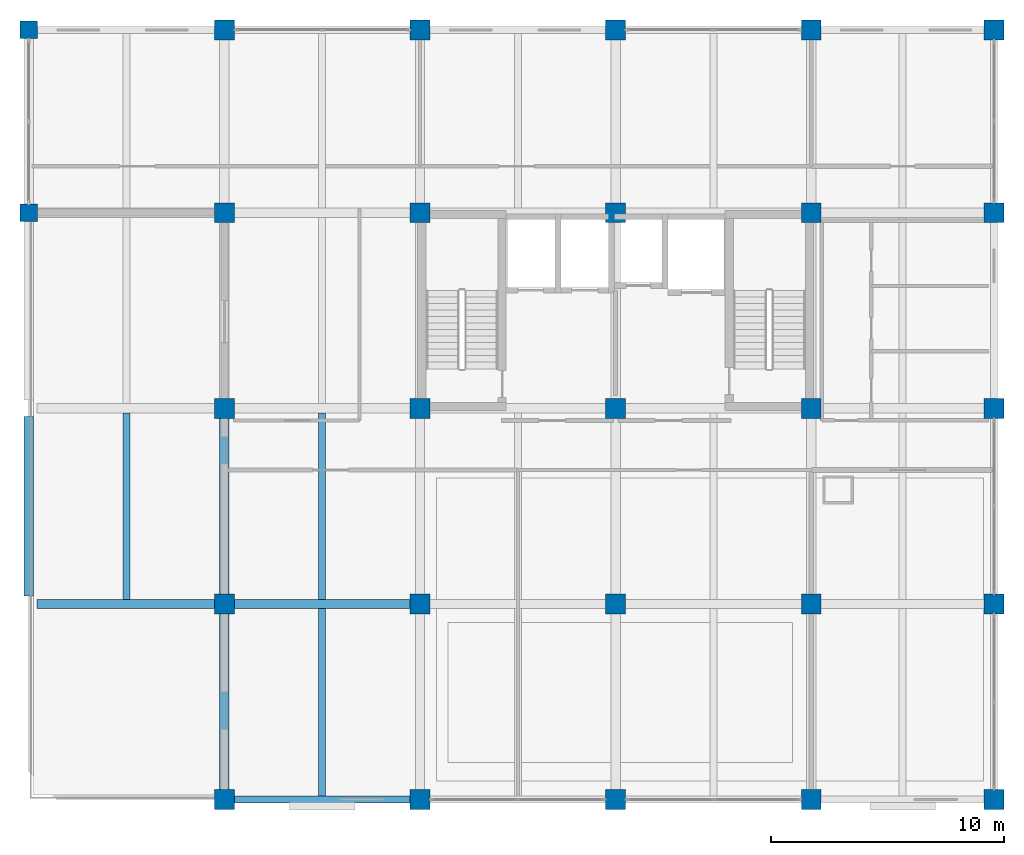
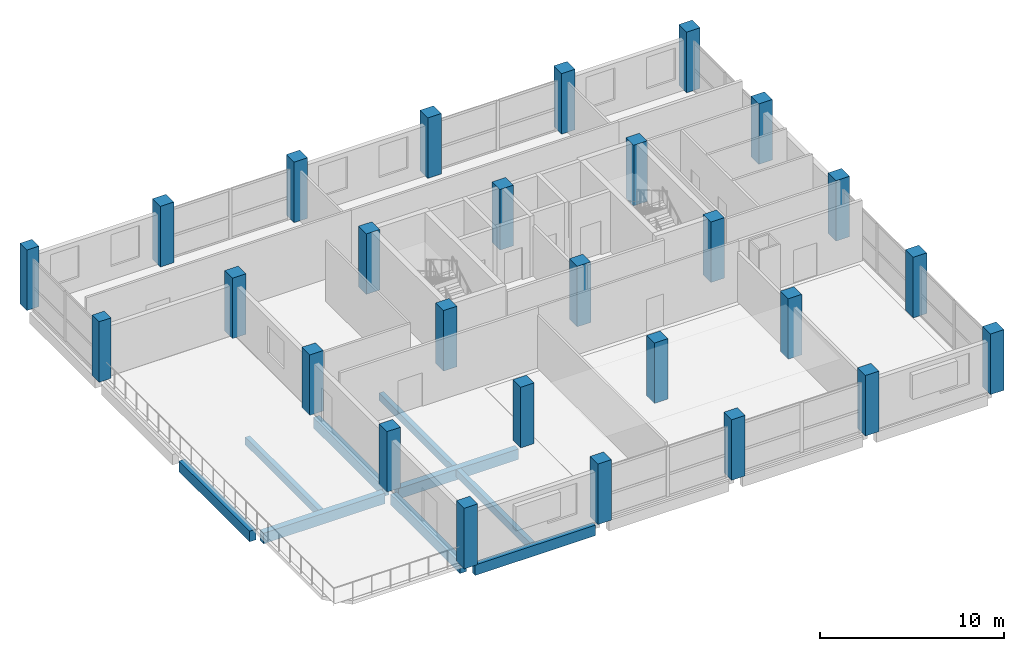
# One storey, part 1 of 10: 27 columns, 9 beams.
"""IFC4 building model written with IfcOpenShell, lengths in metres."""

from ifc_helpers import new_model, si_unit, direction, frame, origin, origin_2d, place, context, subcontext, project, spatial, rectangle, extrude, material, material_profile, profile_set, type_object, element, save


model = new_model("IFC4")

# Units and contexts
model_context = context("Model", 3, precision=1e-05, world=origin(), true_north=direction((0.0, 1.0)))
body_context = subcontext(model_context, "Body", "Model", "MODEL_VIEW")
ifc_project = project(units=[si_unit("LENGTHUNIT", "METRE"), si_unit("AREAUNIT", "SQUARE_METRE"), si_unit("VOLUMEUNIT", "CUBIC_METRE"), si_unit("PLANEANGLEUNIT", "RADIAN"), si_unit("MASSUNIT", "GRAM", prefix="KILO")], contexts=[model_context])

# Site, building, storey
site_placement = place(None, origin())
site = spatial("IfcSite", under=ifc_project, at=site_placement, CompositionType="ELEMENT")
building_placement = place(site_placement, origin())
building = spatial("IfcBuilding", under=site, at=building_placement, Name="Brinegate Botanical Conservatory", CompositionType="ELEMENT")
storey_placement = place(building_placement, frame((0.0, 0.0, 27.60009765625)))
storey = spatial("IfcBuildingStorey", under=building, at=storey_placement, Name="L07", CompositionType="ELEMENT", Elevation=27.60009765625)

# Columns
ifc_material = material(Name="Concrete C40/50", Category="concrete")
ifc_material_profile_1 = material_profile(ifc_material, rectangle(XDim=0.85009765625, YDim=0.85009765625, at=origin_2d()), Name="RC COL 850x850")
ifc_profile_set_1 = profile_set([ifc_material_profile_1], Name="Concrete C40/50")
column_type_1 = type_object("IfcColumnType", Name="Col_C-T3", PredefinedType="COLUMN", material=ifc_profile_set_1)
for number, where, z_axis, x_axis, name in (
    (1, (130.39990234375, 78.39990234375, 0.0), (0.0, 0.0, 1.0), (1.0, 0.0, 0.0), "Column C-T3 L07 K-17"),
    (2, (130.39990234375, 86.800048828125, 0.0), (0.0, 0.0, 1.0), (1.0, 0.0, 0.0), "Column C-T3 L07 L-17"),
    (3, (130.39990234375, 95.199951171875, 0.0), (0.0, 0.0, 1.0), (1.0, 0.0, 0.0), "Column C-T3 L07 M-17"),
    (4, (130.39990234375, 103.60009765625, 0.0), (0.0, 0.0, 1.0), (1.0, 0.0, 0.0), "Column C-T3 L07 N-17"),
    (5, (130.39990234375, 111.449951171875, 0.0), (0.0, 0.0, 1.0), (1.0, 0.0, 0.0), "Column C-T3 L07 P-17"),
    (6, (138.800048828125, 78.39990234375, 0.0), (0.0, 0.0, 1.0), (1.0, 0.0, 0.0), "Column C-T3 L07 K-18"),
    (7, (138.800048828125, 86.800048828125, 0.0), (0.0, 0.0, 1.0), (1.0, 0.0, 0.0), "Column C-T3 L07 L-18"),
    (8, (138.800048828125, 95.199951171875, 0.0), (0.0, 0.0, 1.0), (1.0, 0.0, 0.0), "Column C-T3 L07 M-18"),
    (9, (138.800048828125, 103.60009765625, 0.0), (0.0, 0.0, 1.0), (1.0, 0.0, 0.0), "Column C-T3 L07 N-18"),
    (10, (138.800048828125, 111.449951171875, 0.0), (0.0, 0.0, 1.0), (1.0, 0.0, 0.0), "Column C-T3 L07 P-18"),
    (11, (147.199951171875, 78.39990234375, 0.0), (0.0, 0.0, 1.0), (1.0, 0.0, 0.0), "Column C-T3 L07 K-19"),
    (12, (147.199951171875, 86.800048828125, 0.0), (0.0, 0.0, 1.0), (1.0, 0.0, 0.0), "Column C-T3 L07 L-19"),
    (13, (147.199951171875, 95.199951171875, 0.0), (0.0, 0.0, 1.0), (1.0, 0.0, 0.0), "Column C-T3 L07 M-19"),
    (14, (147.199951171875, 103.60009765625, 0.0), (0.0, 0.0, 1.0), (1.0, 0.0, 0.0), "Column C-T3 L07 N-19"),
    (15, (147.199951171875, 111.449951171875, 0.0), (0.0, 0.0, 1.0), (1.0, 0.0, 0.0), "Column C-T3 L07 P-19"),
    (16, (155.60009765625, 78.39990234375, 0.0), (0.0, 0.0, 1.0), (1.0, 0.0, 0.0), "Column C-T3 L07 K-20"),
    (17, (155.60009765625, 86.800048828125, 0.0), (0.0, 0.0, 1.0), (1.0, 0.0, 0.0), "Column C-T3 L07 L-20"),
    (18, (155.60009765625, 95.199951171875, 0.0), (0.0, 0.0, 1.0), (1.0, 0.0, 0.0), "Column C-T3 L07 M-20"),
    (19, (155.60009765625, 103.60009765625, 0.0), (0.0, 0.0, 1.0), (1.0, 0.0, 0.0), "Column C-T3 L07 N-20"),
    (20, (155.60009765625, 111.449951171875, 0.0), (0.0, 0.0, 1.0), (1.0, 0.0, 0.0), "Column C-T3 L07 P-20"),
    (21, (163.449951171875, 78.39990234375, 0.0), (0.0, 0.0, 1.0), (1.0, 0.0, 0.0), "Column C-T3 L07 K-21"),
    (22, (163.449951171875, 86.800048828125, 0.0), (0.0, 0.0, 1.0), (1.0, 0.0, 0.0), "Column C-T3 L07 L-21"),
    (23, (163.449951171875, 95.199951171875, 0.0), (0.0, 0.0, 1.0), (1.0, 0.0, 0.0), "Column C-T3 L07 M-21"),
    (24, (163.449951171875, 103.60009765625, 0.0), (0.0, 0.0, 1.0), (1.0, 0.0, 0.0), "Column C-T3 L07 N-21"),
    (25, (163.449951171875, 111.449951171875, 0.0), (0.0, 0.0, 1.0), (1.0, 0.0, 0.0), "Column C-T3 L07 P-21"),
):
    element("IfcColumn", number, at=place(storey_placement, frame(where, z_axis=z_axis, x_axis=x_axis)), inside=storey, type_object=column_type_1, Name=name, PredefinedType="COLUMN", context=body_context, shape_type="SweptSolid", body=[
        extrude(rectangle(XDim=0.85009765625, YDim=0.85009765625, at=origin_2d()), origin(), (0.0, 0.0, 1.0), 4.02001953125),
    ])
ifc_material_profile_2 = material_profile(ifc_material, rectangle(XDim=0.75, YDim=0.75, at=origin_2d()), Name="RC COL 750x750")
ifc_profile_set_2 = profile_set([ifc_material_profile_2], Name="Concrete C40/50")
column_type_2 = type_object("IfcColumnType", Name="Col_C-T4", PredefinedType="COLUMN", material=ifc_profile_set_2)
for number, where, z_axis, x_axis, name in (
    (26, (122.0, 103.60009765625, 0.0), (0.0, 0.0, 1.0), (1.0, 0.0, 0.0), "Column C-T4 L07 N-16"),
    (27, (122.0, 111.449951171875, 0.0), (0.0, 0.0, 1.0), (1.0, 0.0, 0.0), "Column C-T4 L07 P-16"),
):
    element("IfcColumn", number, at=place(storey_placement, frame(where, z_axis=z_axis, x_axis=x_axis)), inside=storey, type_object=column_type_2, Name=name, PredefinedType="COLUMN", context=body_context, shape_type="SweptSolid", body=[
        extrude(rectangle(XDim=0.75, YDim=0.75, at=origin_2d()), origin(), (0.0, 0.0, 1.0), 4.02001953125),
    ])

# Beams
ifc_material_profile_3 = material_profile(ifc_material, rectangle(XDim=0.39990234375, YDim=0.699951171875, at=origin_2d()), Name="RC BM 400x700")
ifc_profile_set_3 = profile_set([ifc_material_profile_3], Name="Concrete C40/50")
beam_type_1 = type_object("IfcBeamType", Name="Beam_BM-T2", PredefinedType="BEAM", material=ifc_profile_set_3)
beam_1_placement = place(storey_placement, frame((122.35009765625, 86.800048828125, -0.550048828125), z_axis=(1.0, 0.0, 0.0), x_axis=(0.0, 1.0, 0.0)))
element("IfcBeam", 28, at=beam_1_placement, inside=storey, type_object=beam_type_1, Name="Beam BM-T2 L07 L:16-17", PredefinedType="BEAM", context=body_context, shape_type="SweptSolid", body=[
    extrude(rectangle(XDim=0.39990234375, YDim=0.699951171875, at=origin_2d()), origin(), (0.0, 0.0, 1.0), 7.625),
])
beam_2_placement = place(storey_placement, frame((130.824951171875, 86.800048828125, -0.550048828125), z_axis=(1.0, 0.0, 0.0), x_axis=(0.0, 1.0, 0.0)))
element("IfcBeam", 29, at=beam_2_placement, inside=storey, type_object=beam_type_1, Name="Beam BM-T2 L07 L:17-18", PredefinedType="BEAM", context=body_context, shape_type="SweptSolid", body=[
    extrude(rectangle(XDim=0.39990234375, YDim=0.699951171875, at=origin_2d()), origin(), (0.0, 0.0, 1.0), 7.550048828125),
])
beam_3_placement = place(storey_placement, frame((122.0, 87.14990234375, -0.550048828125), z_axis=(0.0, 1.0, 0.0), x_axis=(-1.0, 0.0, 0.0)))
element("IfcBeam", 30, at=beam_3_placement, inside=storey, type_object=beam_type_1, Name="Beam BM-T2 L07 16:L-M", PredefinedType="BEAM", context=body_context, shape_type="SweptSolid", body=[
    extrude(rectangle(XDim=0.39990234375, YDim=0.699951171875, at=origin_2d()), origin(), (0.0, 0.0, 1.0), 7.7001953125),
])
beam_4_placement = place(storey_placement, frame((130.39990234375, 78.824951171875, -0.550048828125), z_axis=(0.0, 1.0, 0.0), x_axis=(-1.0, 0.0, 0.0)))
element("IfcBeam", 31, at=beam_4_placement, inside=storey, type_object=beam_type_1, Name="Beam BM-T2 L07 17:K-L", PredefinedType="BEAM", context=body_context, shape_type="SweptSolid", body=[
    extrude(rectangle(XDim=0.39990234375, YDim=0.699951171875, at=origin_2d()), origin(), (0.0, 0.0, 1.0), 7.550048828125),
])
beam_5_placement = place(storey_placement, frame((130.39990234375, 87.22509765625, -0.550048828125), z_axis=(0.0, 1.0, 0.0), x_axis=(-1.0, 0.0, 0.0)))
element("IfcBeam", 32, at=beam_5_placement, inside=storey, type_object=beam_type_1, Name="Beam BM-T2 L07 17:L-M", PredefinedType="BEAM", context=body_context, shape_type="SweptSolid", body=[
    extrude(rectangle(XDim=0.39990234375, YDim=0.699951171875, at=origin_2d()), origin(), (0.0, 0.0, 1.0), 7.5498046875),
])
ifc_material_profile_4 = material_profile(ifc_material, rectangle(XDim=0.300048828125, YDim=0.5, at=origin_2d()), Name="RC JST 300x500")
ifc_profile_set_4 = profile_set([ifc_material_profile_4], Name="Concrete C40/50")
beam_type_2 = type_object("IfcBeamType", Name="Beam_JS-C2", PredefinedType="JOIST", material=ifc_profile_set_4)
beam_6_placement = place(storey_placement, frame((126.199951171875, 87.0, -0.4501953125), z_axis=(0.0, 1.0, 0.0), x_axis=(-1.0, 0.0, 0.0)))
element("IfcBeam", 33, at=beam_6_placement, inside=storey, type_object=beam_type_2, Name="Floor joist JS-C2 L07 bay 16.11", PredefinedType="JOIST", context=body_context, shape_type="SweptSolid", body=[
    extrude(rectangle(XDim=0.300048828125, YDim=0.5, at=origin_2d()), origin(), (0.0, 0.0, 1.0), 8.0),
])
beam_7_placement = place(storey_placement, frame((134.60009765625, 78.550048828125, -0.4501953125), z_axis=(0.0, 1.0, 0.0), x_axis=(-1.0, 0.0, 0.0)))
element("IfcBeam", 34, at=beam_7_placement, inside=storey, type_object=beam_type_2, Name="Floor joist JS-C2 L07 bay 17.10", PredefinedType="JOIST", context=body_context, shape_type="SweptSolid", body=[
    extrude(rectangle(XDim=0.300048828125, YDim=0.5, at=origin_2d()), origin(), (0.0, 0.0, 1.0), 8.050048828125),
])
beam_8_placement = place(storey_placement, frame((134.60009765625, 87.0, -0.4501953125), z_axis=(0.0, 1.0, 0.0), x_axis=(-1.0, 0.0, 0.0)))
element("IfcBeam", 35, at=beam_8_placement, inside=storey, type_object=beam_type_2, Name="Floor joist JS-C2 L07 bay 17.11", PredefinedType="JOIST", context=body_context, shape_type="SweptSolid", body=[
    extrude(rectangle(XDim=0.300048828125, YDim=0.5, at=origin_2d()), origin(), (0.0, 0.0, 1.0), 8.0),
])
ifc_material_profile_5 = material_profile(ifc_material, rectangle(XDim=0.300048828125, YDim=0.699951171875, at=origin_2d()), Name="RC SPN 300x700")
ifc_profile_set_5 = profile_set([ifc_material_profile_5], Name="Concrete C40/50")
beam_type_3 = type_object("IfcBeamType", Name="Beam_SP-02", PredefinedType="SPANDREL", material=ifc_profile_set_5)
beam_9_placement = place(storey_placement, frame((130.824951171875, 78.39990234375, -0.550048828125), z_axis=(1.0, 0.0, 0.0), x_axis=(0.0, 1.0, 0.0)))
element("IfcBeam", 36, at=beam_9_placement, inside=storey, type_object=beam_type_3, Name="Beam SP-02 L07 K:17-18", PredefinedType="SPANDREL", context=body_context, shape_type="SweptSolid", body=[
    extrude(rectangle(XDim=0.300048828125, YDim=0.699951171875, at=origin_2d()), origin(), (0.0, 0.0, 1.0), 7.550048828125),
])

save(model, "model.ifc")
